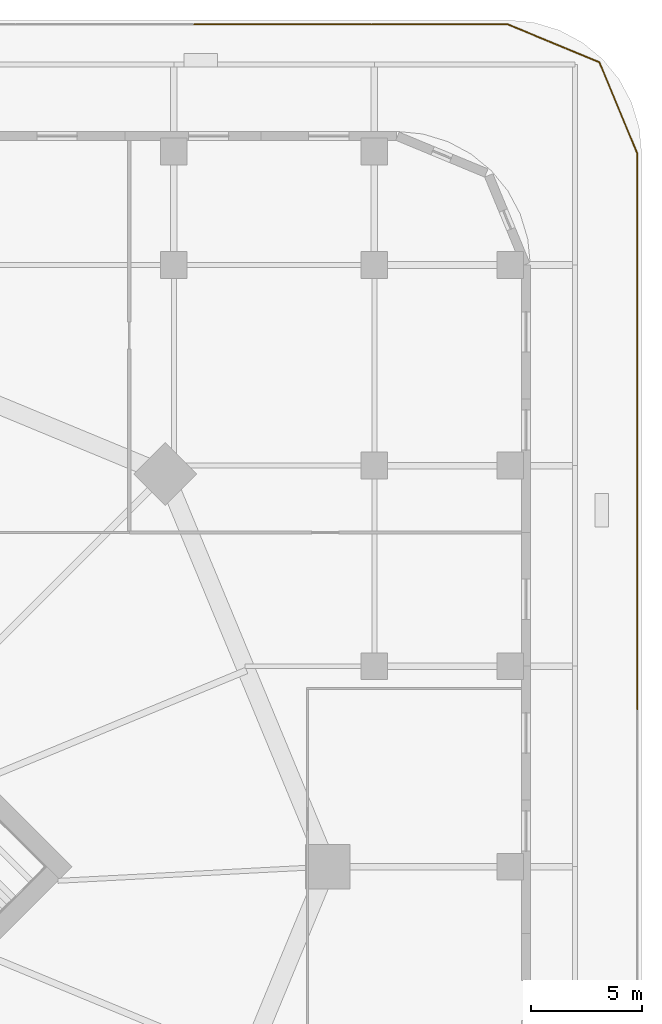
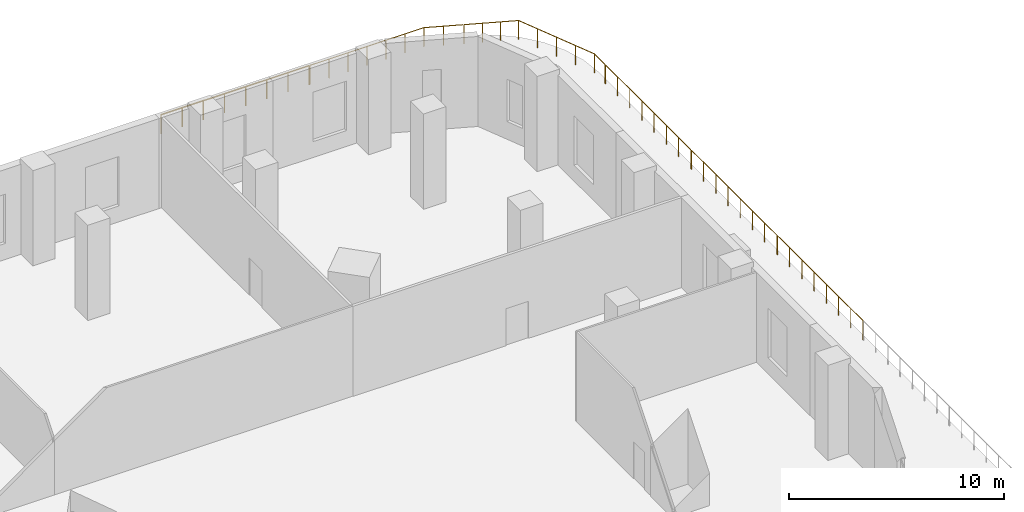
# One storey, part 19 of 20: 6 railings.
"""IFC4 building model written with IfcOpenShell, lengths in metres."""

from ifc_helpers import new_model, si_unit, direction, frame, origin, origin_2d, place, context, subcontext, project, spatial, circle, extrude, material, type_object, element, save


model = new_model("IFC4")

# Units and contexts
model_context = context("Model", 3, precision=1e-05, world=origin(), true_north=direction((0.0, 1.0)))
body_context = subcontext(model_context, "Body", "Model", "MODEL_VIEW")
ifc_project = project(units=[si_unit("LENGTHUNIT", "METRE"), si_unit("AREAUNIT", "SQUARE_METRE"), si_unit("VOLUMEUNIT", "CUBIC_METRE"), si_unit("PLANEANGLEUNIT", "RADIAN"), si_unit("MASSUNIT", "GRAM", prefix="KILO")], contexts=[model_context])

# Site, building, storey
site_placement = place(None, origin())
site = spatial("IfcSite", under=ifc_project, at=site_placement, CompositionType="ELEMENT")
building_placement = place(site_placement, origin())
building = spatial("IfcBuilding", under=site, at=building_placement, Name="Ogive Gate Towers", CompositionType="ELEMENT")
storey_placement = place(building_placement, frame((0.0, 0.0, 7.199951171875)))
storey = spatial("IfcBuildingStorey", under=building, at=storey_placement, Name="L01", CompositionType="ELEMENT", Elevation=7.199951171875)

# Railings
ifc_material = material(Name="Stainless steel", Category="steel")
railing_type = type_object("IfcRailingType", Name="Guard 1100", PredefinedType="GUARDRAIL", material=ifc_material)
for number, where, name in (
    (1, (74.800048828125, 7.068603515625, 0.0), "Terrace guard"),
    (2, (74.800048828125, 15.059814453125, 0.0), "Terrace guard"),
):
    element("IfcRailing", number, at=place(storey_placement, frame(where)), inside=storey, type_object=railing_type, Name=name, PredefinedType="GUARDRAIL", context=body_context, shape_type="SweptSolid", body=[
        extrude(circle(Radius=0.02392578125, at=origin_2d()), frame((0.0, 0.0, 1.076171875), z_axis=(0.0, 1.0, 0.0), x_axis=(-1.0, 0.0, 0.0)), (0.0, 0.0, 1.0), 7.941162109375),
        extrude(circle(Radius=0.02099609375, at=origin_2d()), origin(), (0.0, 0.0, 1.0), 1.052001953125),
        extrude(circle(Radius=0.02099609375, at=origin_2d()), frame((0.0, 1.134521484375, 0.0)), (0.0, 0.0, 1.0), 1.052001953125),
        extrude(circle(Radius=0.02099609375, at=origin_2d()), frame((0.0, 2.268798828125, 0.0)), (0.0, 0.0, 1.0), 1.052001953125),
        extrude(circle(Radius=0.02099609375, at=origin_2d()), frame((0.0, 3.4033203125, 0.0)), (0.0, 0.0, 1.0), 1.052001953125),
        extrude(circle(Radius=0.02099609375, at=origin_2d()), frame((0.0, 4.537841796875, 0.0)), (0.0, 0.0, 1.0), 1.052001953125),
        extrude(circle(Radius=0.02099609375, at=origin_2d()), frame((0.0, 5.67236328125, 0.0)), (0.0, 0.0, 1.0), 1.052001953125),
        extrude(circle(Radius=0.02099609375, at=origin_2d()), frame((0.0, 6.806640625, 0.0)), (0.0, 0.0, 1.0), 1.052001953125),
        extrude(circle(Radius=0.02099609375, at=origin_2d()), frame((0.0, 7.941162109375, 0.0)), (0.0, 0.0, 1.0), 1.052001953125),
    ])
railing_1_placement = place(storey_placement, frame((74.800048828125, 23.05078125, 0.0)))
element("IfcRailing", 3, at=railing_1_placement, inside=storey, type_object=railing_type, Name="Terrace guard", PredefinedType="GUARDRAIL", context=body_context, shape_type="SweptSolid", body=[
    extrude(circle(Radius=0.02392578125, at=origin_2d()), frame((0.0, 0.0, 1.076171875), z_axis=(0.0, 1.0, 0.0), x_axis=(-1.0, 0.0, 0.0)), (0.0, 0.0, 1.0), 7.94140625),
    extrude(circle(Radius=0.02099609375, at=origin_2d()), origin(), (0.0, 0.0, 1.0), 1.052001953125),
    extrude(circle(Radius=0.02099609375, at=origin_2d()), frame((0.0, 1.134521484375, 0.0)), (0.0, 0.0, 1.0), 1.052001953125),
    extrude(circle(Radius=0.02099609375, at=origin_2d()), frame((0.0, 2.26904296875, 0.0)), (0.0, 0.0, 1.0), 1.052001953125),
    extrude(circle(Radius=0.02099609375, at=origin_2d()), frame((0.0, 3.403564453125, 0.0)), (0.0, 0.0, 1.0), 1.052001953125),
    extrude(circle(Radius=0.02099609375, at=origin_2d()), frame((0.0, 4.537841796875, 0.0)), (0.0, 0.0, 1.0), 1.052001953125),
    extrude(circle(Radius=0.02099609375, at=origin_2d()), frame((0.0, 5.67236328125, 0.0)), (0.0, 0.0, 1.0), 1.052001953125),
    extrude(circle(Radius=0.02099609375, at=origin_2d()), frame((0.0, 6.806884765625, 0.0)), (0.0, 0.0, 1.0), 1.052001953125),
    extrude(circle(Radius=0.02099609375, at=origin_2d()), frame((0.0, 7.94140625, 0.0)), (0.0, 0.0, 1.0), 1.052001953125),
])
railing_2_placement = place(storey_placement, frame((74.800048828125, 31.0419921875, 0.0)))
element("IfcRailing", 4, at=railing_2_placement, inside=storey, type_object=railing_type, Name="Terrace guard", PredefinedType="GUARDRAIL", context=body_context, shape_type="SweptSolid", body=[
    extrude(circle(Radius=0.02392578125, at=origin_2d()), frame((0.0, 0.0, 1.076171875), z_axis=(0.0, 1.0, 0.0), x_axis=(-1.0, 0.0, 0.0)), (0.0, 0.0, 1.0), 0.9580078125),
    extrude(circle(Radius=0.02392578125, at=origin_2d()), frame((0.0, 0.9580078125, 1.076171875), z_axis=(-0.382665892976, 0.923886797369, 0.0), x_axis=(-0.923886797369, -0.382665892976, 0.0)), (0.0, 0.0, 1.0), 4.439208984375),
    extrude(circle(Radius=0.02392578125, at=origin_2d()), frame((-1.69873046875, 5.059326171875, 1.076171875), z_axis=(-0.923915090528, 0.382597576437, 0.0), x_axis=(-0.382597576437, -0.923915090528, 0.0)), (0.0, 0.0, 1.0), 2.544189453125),
    extrude(circle(Radius=0.02099609375, at=origin_2d()), origin(), (0.0, 0.0, 1.0), 1.052001953125),
    extrude(circle(Radius=0.02099609375, at=origin_2d()), frame((0.0, 0.9580078125, 0.0)), (0.0, 0.0, 1.0), 1.052001953125),
    extrude(circle(Radius=0.02099609375, at=origin_2d()), frame((-0.4248046875, 1.9833984375, 0.0)), (0.0, 0.0, 1.0), 1.052001953125),
    extrude(circle(Radius=0.02099609375, at=origin_2d()), frame((-0.849365234375, 3.0087890625, 0.0)), (0.0, 0.0, 1.0), 1.052001953125),
    extrude(circle(Radius=0.02099609375, at=origin_2d()), frame((-1.27392578125, 4.033935546875, 0.0)), (0.0, 0.0, 1.0), 1.052001953125),
    extrude(circle(Radius=0.02099609375, at=origin_2d()), frame((-1.69873046875, 5.059326171875, 0.0)), (0.0, 0.0, 1.0), 1.052001953125),
    extrude(circle(Radius=0.02099609375, at=origin_2d()), frame((-2.482177734375, 5.3837890625, 0.0)), (0.0, 0.0, 1.0), 1.052001953125),
    extrude(circle(Radius=0.02099609375, at=origin_2d()), frame((-3.265869140625, 5.708251953125, 0.0)), (0.0, 0.0, 1.0), 1.052001953125),
    extrude(circle(Radius=0.02099609375, at=origin_2d()), frame((-4.04931640625, 6.03271484375, 0.0)), (0.0, 0.0, 1.0), 1.052001953125),
])
railing_3_placement = place(storey_placement, frame((70.70458984375, 37.093994140625, 0.0)))
element("IfcRailing", 5, at=railing_3_placement, inside=storey, type_object=railing_type, Name="Terrace guard", PredefinedType="GUARDRAIL", context=body_context, shape_type="SweptSolid", body=[
    extrude(circle(Radius=0.02392578125, at=origin_2d()), frame((0.0, 0.0, 1.076171875), z_axis=(-0.923881361379, 0.382679017059, 0.0), x_axis=(-0.382679017059, -0.923881361379, 0.0)), (0.0, 0.0, 1.0), 1.844970703125),
    extrude(circle(Radius=0.02392578125, at=origin_2d()), frame((-1.70458984375, 0.7060546875, 1.076171875), z_axis=(-1.0, 0.0, 0.0), x_axis=(0.0, -1.0, 0.0)), (0.0, 0.0, 1.0), 6.09619140625),
    extrude(circle(Radius=0.02099609375, at=origin_2d()), origin(), (0.0, 0.0, 1.0), 1.052001953125),
    extrude(circle(Radius=0.02099609375, at=origin_2d()), frame((-0.852294921875, 0.35302734375, 0.0)), (0.0, 0.0, 1.0), 1.052001953125),
    extrude(circle(Radius=0.02099609375, at=origin_2d()), frame((-1.70458984375, 0.7060546875, 0.0)), (0.0, 0.0, 1.0), 1.052001953125),
    extrude(circle(Radius=0.02099609375, at=origin_2d()), frame((-2.720703125, 0.7060546875, 0.0)), (0.0, 0.0, 1.0), 1.052001953125),
    extrude(circle(Radius=0.02099609375, at=origin_2d()), frame((-3.736572265625, 0.7060546875, 0.0)), (0.0, 0.0, 1.0), 1.052001953125),
    extrude(circle(Radius=0.02099609375, at=origin_2d()), frame((-4.752685546875, 0.7060546875, 0.0)), (0.0, 0.0, 1.0), 1.052001953125),
    extrude(circle(Radius=0.02099609375, at=origin_2d()), frame((-5.768798828125, 0.7060546875, 0.0)), (0.0, 0.0, 1.0), 1.052001953125),
    extrude(circle(Radius=0.02099609375, at=origin_2d()), frame((-6.78466796875, 0.7060546875, 0.0)), (0.0, 0.0, 1.0), 1.052001953125),
    extrude(circle(Radius=0.02099609375, at=origin_2d()), frame((-7.80078125, 0.7060546875, 0.0)), (0.0, 0.0, 1.0), 1.052001953125),
])
railing_4_placement = place(storey_placement, frame((62.85400390625, 37.800048828125, 0.0)))
element("IfcRailing", 6, at=railing_4_placement, inside=storey, type_object=railing_type, Name="Terrace guard", PredefinedType="GUARDRAIL", context=body_context, shape_type="SweptSolid", body=[
    extrude(circle(Radius=0.02392578125, at=origin_2d()), frame((0.0, 0.0, 1.076171875), z_axis=(-1.0, 0.0, 0.0), x_axis=(0.0, -1.0, 0.0)), (0.0, 0.0, 1.0), 7.94140625),
    extrude(circle(Radius=0.02099609375, at=origin_2d()), origin(), (0.0, 0.0, 1.0), 1.052001953125),
    extrude(circle(Radius=0.02099609375, at=origin_2d()), frame((-1.134521484375, 0.0, 0.0)), (0.0, 0.0, 1.0), 1.052001953125),
    extrude(circle(Radius=0.02099609375, at=origin_2d()), frame((-2.26904296875, 0.0, 0.0)), (0.0, 0.0, 1.0), 1.052001953125),
    extrude(circle(Radius=0.02099609375, at=origin_2d()), frame((-3.403564453125, 0.0, 0.0)), (0.0, 0.0, 1.0), 1.052001953125),
    extrude(circle(Radius=0.02099609375, at=origin_2d()), frame((-4.537841796875, 0.0, 0.0)), (0.0, 0.0, 1.0), 1.052001953125),
    extrude(circle(Radius=0.02099609375, at=origin_2d()), frame((-5.67236328125, 0.0, 0.0)), (0.0, 0.0, 1.0), 1.052001953125),
    extrude(circle(Radius=0.02099609375, at=origin_2d()), frame((-6.806884765625, 0.0, 0.0)), (0.0, 0.0, 1.0), 1.052001953125),
    extrude(circle(Radius=0.02099609375, at=origin_2d()), frame((-7.94140625, 0.0, 0.0)), (0.0, 0.0, 1.0), 1.052001953125),
])

save(model, "model.ifc")
